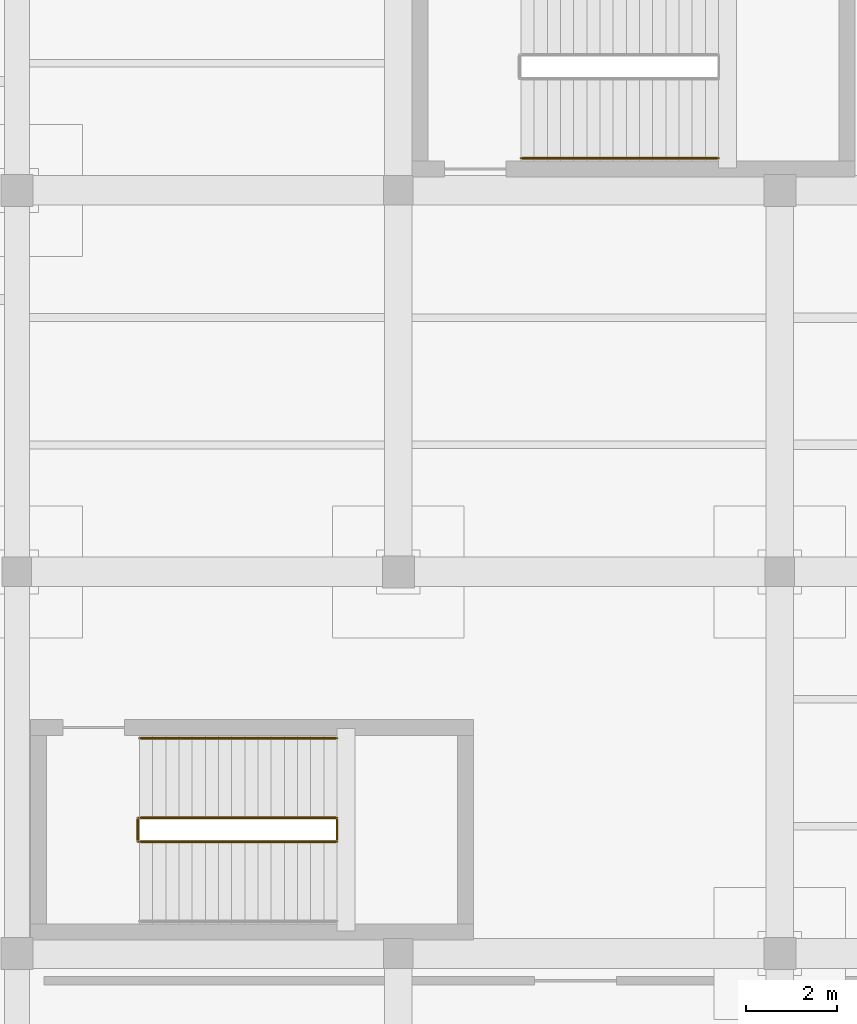
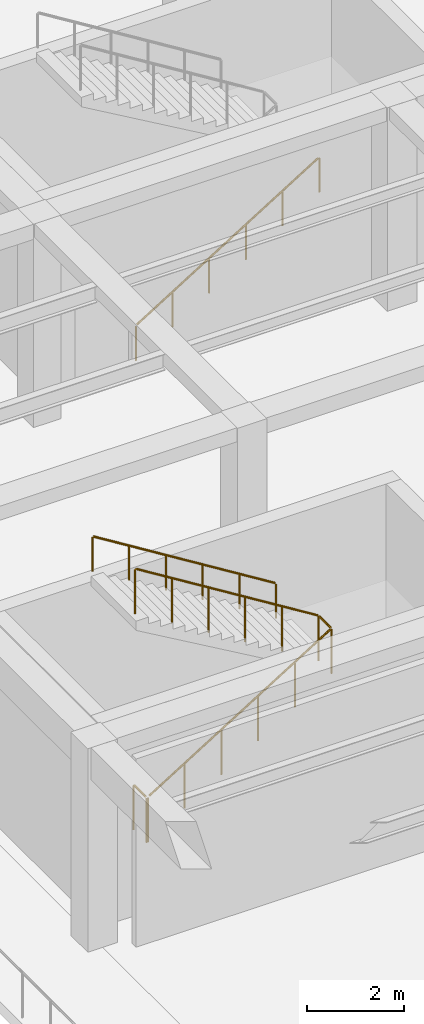
# One storey, part 87 of 96: 4 railings.
"""IFC4 building model written with IfcOpenShell, lengths in metres."""

from ifc_helpers import new_model, si_unit, direction, frame, origin, origin_2d, place, context, subcontext, project, spatial, circle, extrude, material, type_object, element, save


model = new_model("IFC4")

# Units and contexts
model_context = context("Model", 3, precision=1e-05, world=origin(), true_north=direction((0.0, 1.0)))
body_context = subcontext(model_context, "Body", "Model", "MODEL_VIEW")
ifc_project = project(units=[si_unit("LENGTHUNIT", "METRE"), si_unit("AREAUNIT", "SQUARE_METRE"), si_unit("VOLUMEUNIT", "CUBIC_METRE"), si_unit("PLANEANGLEUNIT", "RADIAN"), si_unit("MASSUNIT", "GRAM", prefix="KILO")], contexts=[model_context])

# Site, building, storey
site_placement = place(None, origin())
site = spatial("IfcSite", under=ifc_project, at=site_placement, CompositionType="ELEMENT")
building_placement = place(site_placement, origin())
building = spatial("IfcBuilding", under=site, at=building_placement, Name="Almacenes y Pasaje Nevantli", CompositionType="ELEMENT")
storey_placement = place(building_placement, frame((0.0, 0.0, 6.0)))
storey = spatial("IfcBuildingStorey", under=building, at=storey_placement, Name="L02", CompositionType="ELEMENT", Elevation=6.0)

# Railings
ifc_material_1 = material(Name="Brushed Stainless Steel and Tempered Safety Glass", Category="steel")
railing_type_1 = type_object("IfcRailingType", Name="RL-GUARD-1100", PredefinedType="BALUSTRADE", material=ifc_material_1)
railing_1_placement = place(storey_placement, frame((95.10009765625, 44.4599609375, 0.0)))
element("IfcRailing", 1, at=railing_1_placement, inside=storey, type_object=railing_type_1, Name="L02 Stair ST-08 Inner Well Guard Balustrade", PredefinedType="BALUSTRADE", context=body_context, shape_type="SweptSolid", body=[
    extrude(circle(Radius=0.02392578125, at=origin_2d()), frame((0.025390625, 0.0, 1.1416015625), z_axis=(0.849636482215, 0.0, 0.527368797038), x_axis=(0.0, 1.0, 0.0)), (0.0, 0.0, 1.0), 5.0595703125),
    extrude(circle(Radius=0.02392578125, at=origin_2d()), frame((4.349853515625, 0.030029296875, 3.82568359375), z_axis=(0.0, 1.0, 0.0), x_axis=(-1.0, 0.0, 0.0)), (0.0, 0.0, 1.0), 0.469970703125),
    extrude(circle(Radius=0.02392578125, at=origin_2d()), frame((4.324462890625, 0.530029296875, 3.841552734375), z_axis=(-0.849636482215, 0.0, 0.527368797038), x_axis=(0.0, -1.0, 0.0)), (0.0, 0.0, 1.0), 5.0595703125),
    extrude(circle(Radius=0.02099609375, at=origin_2d()), origin(), (0.0, 0.0, 1.0), 1.096923828125),
    extrude(circle(Radius=0.02099609375, at=origin_2d()), frame((0.869873046875, 0.0, 0.5400390625)), (0.0, 0.0, 1.0), 1.096923828125),
    extrude(circle(Radius=0.02099609375, at=origin_2d()), frame((1.739990234375, 0.0, 1.080078125)), (0.0, 0.0, 1.0), 1.096923828125),
    extrude(circle(Radius=0.02099609375, at=origin_2d()), frame((2.60986328125, 0.0, 1.619873046875)), (0.0, 0.0, 1.0), 1.096923828125),
    extrude(circle(Radius=0.02099609375, at=origin_2d()), frame((3.47998046875, 0.0, 2.159912109375)), (0.0, 0.0, 1.0), 1.096923828125),
    extrude(circle(Radius=0.02099609375, at=origin_2d()), frame((4.349853515625, 0.0, 2.699951171875)), (0.0, 0.0, 1.0), 1.096923828125),
    extrude(circle(Radius=0.02099609375, at=origin_2d()), frame((4.349853515625, 0.530029296875, 2.699951171875)), (0.0, 0.0, 1.0), 1.096923828125),
    extrude(circle(Radius=0.02099609375, at=origin_2d()), frame((3.47998046875, 0.530029296875, 3.239990234375)), (0.0, 0.0, 1.0), 1.096923828125),
    extrude(circle(Radius=0.02099609375, at=origin_2d()), frame((2.60986328125, 0.530029296875, 3.780029296875)), (0.0, 0.0, 1.0), 1.096923828125),
    extrude(circle(Radius=0.02099609375, at=origin_2d()), frame((1.739990234375, 0.530029296875, 4.31982421875)), (0.0, 0.0, 1.0), 1.096923828125),
    extrude(circle(Radius=0.02099609375, at=origin_2d()), frame((0.869873046875, 0.530029296875, 4.85986328125)), (0.0, 0.0, 1.0), 1.096923828125),
    extrude(circle(Radius=0.02099609375, at=origin_2d()), frame((0.0, 0.530029296875, 5.39990234375)), (0.0, 0.0, 1.0), 1.096923828125),
])
railing_2_placement = place(storey_placement, frame((95.06005859375, 44.4599609375, 0.0)))
element("IfcRailing", 2, at=railing_2_placement, inside=storey, type_object=railing_type_1, Name="L02 Stair ST-08 Landing Well Slot Guard", PredefinedType="BALUSTRADE", context=body_context, shape_type="SweptSolid", body=[
    extrude(circle(Radius=0.02392578125, at=origin_2d()), frame((0.0, 0.030029296875, 1.1259765625), z_axis=(0.0, 1.0, 0.0), x_axis=(-1.0, 0.0, 0.0)), (0.0, 0.0, 1.0), 0.469970703125),
    extrude(circle(Radius=0.02099609375, at=origin_2d()), origin(), (0.0, 0.0, 1.0), 1.096923828125),
    extrude(circle(Radius=0.02099609375, at=origin_2d()), frame((0.0, 0.530029296875, 0.0)), (0.0, 0.0, 1.0), 1.096923828125),
])
ifc_material_2 = material(Name="Brushed Stainless Steel Tube", Category="steel")
railing_type_2 = type_object("IfcRailingType", Name="RL-HANDRAIL-900", PredefinedType="HANDRAIL", material=ifc_material_2)
railing_3_placement = place(storey_placement, frame((99.449951171875, 46.739990234375, 2.699951171875)))
element("IfcRailing", 3, at=railing_3_placement, inside=storey, type_object=railing_type_2, Name="L02 Stair ST-08 Upper Flight Handrail", PredefinedType="HANDRAIL", context=body_context, shape_type="SweptSolid", body=[
    extrude(circle(Radius=0.02392578125, at=origin_2d()), frame((-0.025390625, 0.0, 0.8916015625), z_axis=(-0.849636482215, 0.0, 0.527368797038), x_axis=(0.0, -1.0, 0.0)), (0.0, 0.0, 1.0), 5.0595703125),
    extrude(circle(Radius=0.02099609375, at=origin_2d()), origin(), (0.0, 0.0, 1.0), 0.846923828125),
    extrude(circle(Radius=0.02099609375, at=origin_2d()), frame((-0.869873046875, 0.0, 0.5400390625)), (0.0, 0.0, 1.0), 0.846923828125),
    extrude(circle(Radius=0.02099609375, at=origin_2d()), frame((-1.739990234375, 0.0, 1.080078125)), (0.0, 0.0, 1.0), 0.846923828125),
    extrude(circle(Radius=0.02099609375, at=origin_2d()), frame((-2.60986328125, 0.0, 1.619873046875)), (0.0, 0.0, 1.0), 0.846923828125),
    extrude(circle(Radius=0.02099609375, at=origin_2d()), frame((-3.47998046875, 0.0, 2.159912109375)), (0.0, 0.0, 1.0), 0.846923828125),
    extrude(circle(Radius=0.02099609375, at=origin_2d()), frame((-4.349853515625, 0.0, 2.699951171875)), (0.0, 0.0, 1.0), 0.846923828125),
])
railing_4_placement = place(storey_placement, frame((103.5, 59.510009765625, 0.0)))
element("IfcRailing", 4, at=railing_4_placement, inside=storey, type_object=railing_type_2, Name="L02 Stair ST-13 Lower Flight Handrail", PredefinedType="HANDRAIL", context=body_context, shape_type="SweptSolid", body=[
    extrude(circle(Radius=0.02392578125, at=origin_2d()), frame((0.025390625, 0.0, 0.8916015625), z_axis=(0.849649743971, 0.0, 0.527347430608), x_axis=(0.0, 1.0, 0.0)), (0.0, 0.0, 1.0), 5.059814453125),
    extrude(circle(Radius=0.02099609375, at=origin_2d()), origin(), (0.0, 0.0, 1.0), 0.846923828125),
    extrude(circle(Radius=0.02099609375, at=origin_2d()), frame((0.8701171875, 0.0, 0.5400390625)), (0.0, 0.0, 1.0), 0.846923828125),
    extrude(circle(Radius=0.02099609375, at=origin_2d()), frame((1.739990234375, 0.0, 1.080078125)), (0.0, 0.0, 1.0), 0.846923828125),
    extrude(circle(Radius=0.02099609375, at=origin_2d()), frame((2.610107421875, 0.0, 1.619873046875)), (0.0, 0.0, 1.0), 0.846923828125),
    extrude(circle(Radius=0.02099609375, at=origin_2d()), frame((3.47998046875, 0.0, 2.159912109375)), (0.0, 0.0, 1.0), 0.846923828125),
    extrude(circle(Radius=0.02099609375, at=origin_2d()), frame((4.35009765625, 0.0, 2.699951171875)), (0.0, 0.0, 1.0), 0.846923828125),
])

save(model, "model.ifc")
